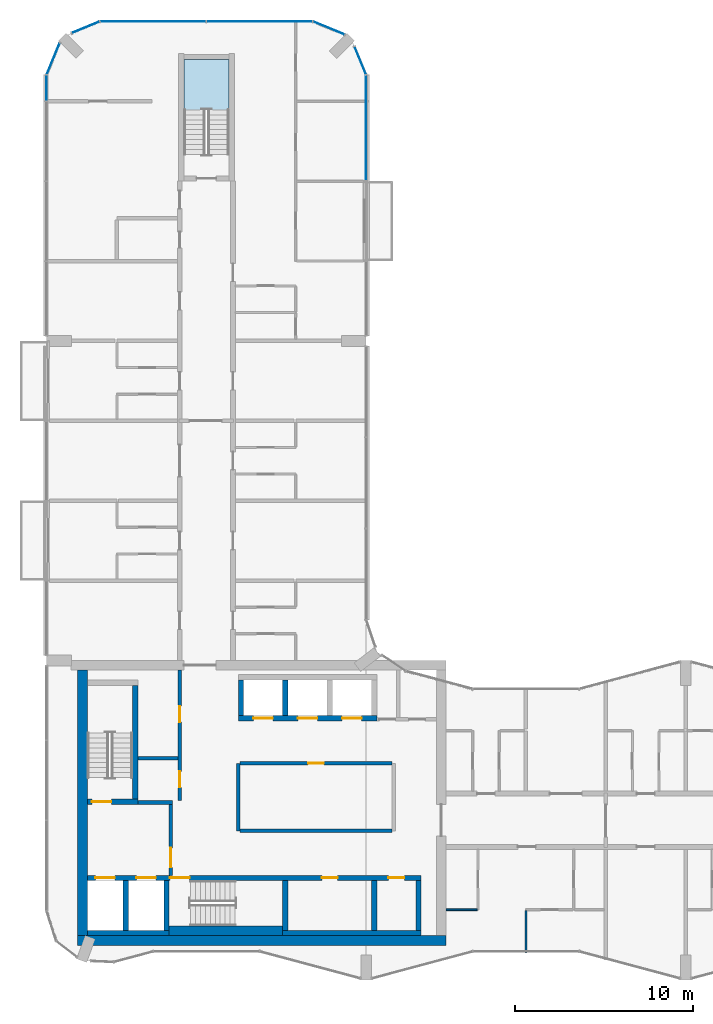
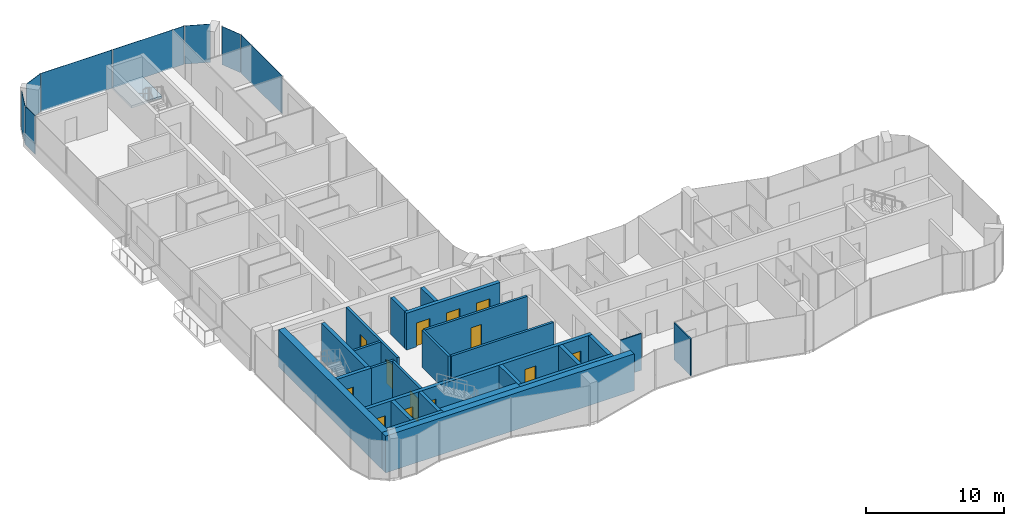
# One storey, part 9 of 16: 25 walls, 13 doors, 8 plates, 1 slab, 13 openings, 8 elements without a shape of their own.
"""IFC4 building model written with IfcOpenShell, lengths in metres."""

from ifc_helpers import new_model, si_unit, direction, frame, frame_2d, origin, origin_2d, place, context, subcontext, project, spatial, polyline, rectangle, outline, extrude, material, layer, layer_set, type_object, element, fill, aggregate, save


model = new_model("IFC4")

# Units and contexts
model_context = context("Model", 3, precision=1e-05, world=origin(), true_north=direction((0.0, 1.0)))
body_context = subcontext(model_context, "Body", "Model", "MODEL_VIEW")
ifc_project = project(units=[si_unit("LENGTHUNIT", "METRE"), si_unit("AREAUNIT", "SQUARE_METRE"), si_unit("VOLUMEUNIT", "CUBIC_METRE"), si_unit("PLANEANGLEUNIT", "RADIAN"), si_unit("MASSUNIT", "GRAM", prefix="KILO")], contexts=[model_context])

# Site, building, storey
site_placement = place(None, origin())
site = spatial("IfcSite", under=ifc_project, at=site_placement, CompositionType="ELEMENT")
building_placement = place(site_placement, origin())
building = spatial("IfcBuilding", under=site, at=building_placement, Name="Plateau Cross Towers", CompositionType="ELEMENT")
storey_placement = place(building_placement, frame((0.0, 0.0, 211.89990234375)))
storey = spatial("IfcBuildingStorey", under=building, at=storey_placement, Name="L55", CompositionType="ELEMENT", Elevation=211.89990234375)

# Curtain wall, plate
ifc_material_1 = material(Name="Dark low-iron glass", Category="glass")
ifc_layer_1 = layer(ifc_material_1, 0.239990234375)
ifc_layer_set_1 = layer_set([ifc_layer_1], Name="Dark low-iron glass")
curtain_wall_type = type_object("IfcCurtainWallType", Name="Curtain wall flush unitised CW-B", PredefinedType="NOTDEFINED", material=ifc_layer_set_1)
curtain_wall_1_placement = place(storey_placement, origin())
curtain_wall_1 = element("IfcCurtainWall", 1, at=curtain_wall_1_placement, inside=storey, type_object=curtain_wall_type, Name="ENV/A/L55/A180_450", PredefinedType="NOTDEFINED")
ifc_layer_2 = layer(ifc_material_1, 0.031982421875)
ifc_layer_set_2 = layer_set([ifc_layer_2], Name="Dark low-iron glass")
plate_type = type_object("IfcPlateType", Name="Glass panel 32 flush unitised", PredefinedType="CURTAIN_PANEL", material=ifc_layer_set_2)
plate_1_placement = place(storey_placement, frame((18.0, 48.0048828125, -0.1298828125), z_axis=(0.0, 0.0, 1.0), x_axis=(0.0, 1.0, 0.0)))
plate_1 = element("IfcPlate", 2, at=plate_1_placement, type_object=plate_type, Name="CW-B panel 1", PredefinedType="CURTAIN_PANEL", context=body_context, shape_type="SweptSolid", body=[
    extrude(rectangle(XDim=5.929931640625, YDim=0.031982421875, at=origin_2d()), origin(), (0.0, 0.0, 1.0), 3.3798828125),
])
aggregate(curtain_wall_1, [plate_1])

curtain_wall_2_placement = place(storey_placement, origin())
curtain_wall_2 = element("IfcCurtainWall", 3, at=curtain_wall_2_placement, inside=storey, type_object=curtain_wall_type, Name="ENV/A/L55/A180_510", PredefinedType="NOTDEFINED")
plate_2_placement = place(storey_placement, frame((17.66943359375, 51.79833984375, -0.1298828125), z_axis=(0.0, 0.0, 1.0), x_axis=(-0.382683612978, 0.923879457699, 0.0)))
plate_2 = element("IfcPlate", 4, at=plate_2_placement, type_object=plate_type, Name="CW-B panel 1", PredefinedType="CURTAIN_PANEL", context=body_context, shape_type="SweptSolid", body=[
    extrude(rectangle(XDim=1.668212890625, YDim=0.031982421875, at=origin_2d()), origin(), (0.0, 0.0, 1.0), 3.3798828125),
])
aggregate(curtain_wall_2, [plate_2])

curtain_wall_3_placement = place(storey_placement, origin())
curtain_wall_3 = element("IfcCurtainWall", 5, at=curtain_wall_3_placement, inside=storey, type_object=curtain_wall_type, Name="ENV/A/L55/A168_533", PredefinedType="NOTDEFINED")
plate_3_placement = place(storey_placement, frame((15.90283203125, 53.6259765625, -0.1298828125), z_axis=(0.0, 0.0, 1.0), x_axis=(-0.923879457699, 0.382683612978, 0.0)))
plate_3 = element("IfcPlate", 6, at=plate_3_placement, type_object=plate_type, Name="CW-B panel 1", PredefinedType="CURTAIN_PANEL", context=body_context, shape_type="SweptSolid", body=[
    extrude(rectangle(XDim=1.894775390625, YDim=0.031982421875, at=origin_2d()), origin(), (0.0, 0.0, 1.0), 3.3798828125),
])
aggregate(curtain_wall_3, [plate_3])

# Curtain wall, plates
curtain_wall_4_placement = place(storey_placement, origin())
curtain_wall_4 = element("IfcCurtainWall", 7, at=curtain_wall_4_placement, inside=storey, type_object=curtain_wall_type, Name="ENV/A/L55/A150_540", PredefinedType="NOTDEFINED")
plate_4_placement = place(storey_placement, frame((12.0, 54.0, -0.1298828125), z_axis=(0.0, 0.0, 1.0), x_axis=(-1.0, 0.0, 0.0)))
plate_4 = element("IfcPlate", 8, at=plate_4_placement, type_object=plate_type, Name="CW-B panel 1", PredefinedType="CURTAIN_PANEL", context=body_context, shape_type="SweptSolid", body=[
    extrude(rectangle(XDim=5.93994140625, YDim=0.031982421875, at=origin_2d()), origin(), (0.0, 0.0, 1.0), 3.3798828125),
])
plate_5_placement = place(storey_placement, frame((6.0, 54.0, -0.1298828125), z_axis=(0.0, 0.0, 1.0), x_axis=(-1.0, 0.0, 0.0)))
plate_5 = element("IfcPlate", 9, at=plate_5_placement, type_object=plate_type, Name="CW-B panel 2", PredefinedType="CURTAIN_PANEL", context=body_context, shape_type="SweptSolid", body=[
    extrude(rectangle(XDim=5.93994140625, YDim=0.031982421875, at=origin_2d()), origin(), (0.0, 0.0, 1.0), 3.3798828125),
])
aggregate(curtain_wall_4, [plate_4, plate_5])

# Curtain wall, plate
curtain_wall_5_placement = place(storey_placement, origin())
curtain_wall_5 = element("IfcCurtainWall", 10, at=curtain_wall_5_placement, inside=storey, type_object=curtain_wall_type, Name="ENV/A/L55/A30_540", PredefinedType="NOTDEFINED")
plate_6_placement = place(storey_placement, frame((2.20166015625, 53.66943359375, -0.1298828125), z_axis=(0.0, 0.0, 1.0), x_axis=(-0.923879457699, -0.382683612978, 0.0)))
plate_6 = element("IfcPlate", 11, at=plate_6_placement, type_object=plate_type, Name="CW-B panel 1", PredefinedType="CURTAIN_PANEL", context=body_context, shape_type="SweptSolid", body=[
    extrude(rectangle(XDim=1.668212890625, YDim=0.031982421875, at=origin_2d()), origin(), (0.0, 0.0, 1.0), 3.3798828125),
])
aggregate(curtain_wall_5, [plate_6])

curtain_wall_6_placement = place(storey_placement, origin())
curtain_wall_6 = element("IfcCurtainWall", 12, at=curtain_wall_6_placement, inside=storey, type_object=curtain_wall_type, Name="ENV/A/L55/A7_528", PredefinedType="NOTDEFINED")
plate_7_placement = place(storey_placement, frame((0.3740234375, 51.90283203125, -0.1298828125), z_axis=(0.0, 0.0, 1.0), x_axis=(-0.382683612978, -0.923879457699, 0.0)))
plate_7 = element("IfcPlate", 13, at=plate_7_placement, type_object=plate_type, Name="CW-B panel 1", PredefinedType="CURTAIN_PANEL", context=body_context, shape_type="SweptSolid", body=[
    extrude(rectangle(XDim=1.894775390625, YDim=0.031982421875, at=origin_2d()), origin(), (0.0, 0.0, 1.0), 3.3798828125),
])
aggregate(curtain_wall_6, [plate_7])

curtain_wall_7_placement = place(storey_placement, origin())
curtain_wall_7 = element("IfcCurtainWall", 14, at=curtain_wall_7_placement, inside=storey, type_object=curtain_wall_type, Name="ENV/A/L55/A0_510", PredefinedType="NOTDEFINED")
plate_8_placement = place(storey_placement, frame((0.0, 50.25, -0.1298828125), z_axis=(0.0, 0.0, 1.0), x_axis=(0.0, -1.0, 0.0)))
plate_8 = element("IfcPlate", 15, at=plate_8_placement, type_object=plate_type, Name="CW-B panel 1", PredefinedType="CURTAIN_PANEL", context=body_context, shape_type="SweptSolid", body=[
    extrude(rectangle(XDim=1.43994140625, YDim=0.031982421875, at=origin_2d()), origin(), (0.0, 0.0, 1.0), 3.3798828125),
])
aggregate(curtain_wall_7, [plate_8])

# Stair, slab
ifc_material_2 = material(Name="Concrete C40/50", Category="concrete")
stair_type = type_object("IfcStairType", Name="ST-TWR", PredefinedType="HALF_TURN_STAIR", material=ifc_material_2)
stair_placement = place(storey_placement, origin())
stair = element("IfcStair", 16, at=stair_placement, inside=storey, type_object=stair_type, Name="L55 Protected Exit Stair N", PredefinedType="HALF_TURN_STAIR")
ifc_layer_3 = layer(ifc_material_2, 0.199951171875)
ifc_layer_set_3 = layer_set([ifc_layer_3], Name="Concrete C40/50")
slab_type = type_object("IfcSlabType", Name="SL-LANDING", PredefinedType="LANDING", material=ifc_layer_set_3)
slab_placement = place(storey_placement, frame((0.0, 0.0, 1.550048828125)))
slab = element("IfcSlab", 17, at=slab_placement, type_object=slab_type, Name="ES-N landing 1", PredefinedType="LANDING", context=body_context, shape_type="SweptSolid", body=[
    extrude(outline(polyline([(10.27490234375, 49.02001953125), (10.27490234375, 51.85009765625), (7.72509765625, 51.85009765625), (7.72509765625, 49.02001953125), (10.27490234375, 49.02001953125)])), origin(), (0.0, 0.0, 1.0), 0.199951171875),
])
aggregate(stair, [slab])

# Wall, opening, door
ifc_material_3 = material(Name="Concrete block, plastered both sides", Category="concrete")
ifc_layer_4 = layer(ifc_material_3, 0.199951171875)
ifc_layer_set_4 = layer_set([ifc_layer_4], Name="Concrete block, plastered both sides")
wall_type_1 = type_object("IfcWallType", Name="Core partition 200", PredefinedType="PARTITIONING", material=ifc_layer_set_4)
wall_1_placement = place(storey_placement, frame((7.0, 5.89990234375, 0.0), z_axis=(0.0, 0.0, 1.0), x_axis=(0.0, 1.0, 0.0)))
wall_1 = element("IfcWall", 18, at=wall_1_placement, inside=storey, type_object=wall_type_1, Name="Core partition", PredefinedType="PARTITIONING", context=body_context, shape_type="SweptSolid", body=[
    extrude(rectangle(XDim=4.0, YDim=0.199951171875, at=frame_2d((2.0, 0.0))), origin(), (0.0, 0.0, 1.0), 3.25),
])
opening_1_placement = place(wall_1_placement, frame((0.449951171875, 0.0, 0.0)))
opening_1 = element("IfcOpeningElement", 19, at=opening_1_placement, cuts=wall_1, Name="Opening FFD", PredefinedType="OPENING", context=body_context, shape_type="SweptSolid", body=[
    extrude(rectangle(XDim=1.10009765625, YDim=2.10009765625, at=frame_2d((0.550048828125, 1.050048828125))), frame((0.0, 0.10986328125, 0.0), z_axis=(0.0, -1.0, 0.0), x_axis=(1.0, 0.0, 0.0)), (0.0, 0.0, 1.0), 0.219970703125),
])
ifc_material_4 = material(Name="Steel, fire-resisting leaf", Category="steel")
door_type_1 = type_object("IfcDoorType", Name="Firefighting lobby door 1100", OperationType="NOTDEFINED", PredefinedType="DOOR", material=ifc_material_4)
door_1_placement = place(opening_1_placement, origin())
door_1 = element("IfcDoor", 20, at=door_1_placement, inside=storey, type_object=door_type_1, Name="Firefighting lobby door FFD", OperationType="SINGLE_SWING_LEFT", OverallHeight=2.10009765625, OverallWidth=1.10009765625, PredefinedType="DOOR", context=body_context, shape_type="SweptSolid", body=[
    extrude(rectangle(XDim=1.10009765625, YDim=2.10009765625, at=frame_2d((0.550048828125, 1.050048828125))), frame((0.0, 0.02490234375, 0.0), z_axis=(0.0, -1.0, 0.0), x_axis=(1.0, 0.0, 0.0)), (0.0, 0.0, 1.0), 0.050048828125),
])
fill(opening_1, door_1)

# Walls
wall_2_placement = place(storey_placement, frame((5.14990234375, 10.0, 0.0), z_axis=(0.0, 0.0, 1.0), x_axis=(1.0, 0.0, 0.0)))
element("IfcWall", 21, at=wall_2_placement, inside=storey, type_object=wall_type_1, Name="Core partition", PredefinedType="PARTITIONING", context=body_context, shape_type="SweptSolid", body=[
    extrude(rectangle(XDim=1.9501953125, YDim=0.199951171875, at=frame_2d((0.97509765625, 0.0))), origin(), (0.0, 0.0, 1.0), 3.25),
])
wall_3_placement = place(storey_placement, frame((10.800048828125, 8.39990234375, 0.0), z_axis=(0.0, 0.0, 1.0), x_axis=(0.0, 1.0, 0.0)))
element("IfcWall", 22, at=wall_3_placement, inside=storey, type_object=wall_type_1, Name="Core partition", PredefinedType="PARTITIONING", context=body_context, shape_type="SweptSolid", body=[
    extrude(rectangle(XDim=3.800048828125, YDim=0.199951171875, at=frame_2d((1.89990234375, 0.0))), origin(), (0.0, 0.0, 1.0), 3.25),
])
wall_4_placement = place(storey_placement, frame((10.89990234375, 8.39990234375, 0.0), z_axis=(0.0, 0.0, 1.0), x_axis=(1.0, 0.0, 0.0)))
element("IfcWall", 23, at=wall_4_placement, inside=storey, type_object=wall_type_1, Name="Core partition", PredefinedType="PARTITIONING", context=body_context, shape_type="SweptSolid", body=[
    extrude(rectangle(XDim=8.550048828125, YDim=0.199951171875, at=frame_2d((4.27490234375, 0.0))), origin(), (0.0, 0.0, 1.0), 3.25),
])

# Wall, opening, door
wall_5_placement = place(storey_placement, frame((10.89990234375, 12.199951171875, 0.0), z_axis=(0.0, 0.0, 1.0), x_axis=(1.0, 0.0, 0.0)))
wall_5 = element("IfcWall", 24, at=wall_5_placement, inside=storey, type_object=wall_type_1, Name="Core partition", PredefinedType="PARTITIONING", context=body_context, shape_type="SweptSolid", body=[
    extrude(rectangle(XDim=8.550048828125, YDim=0.199951171875, at=frame_2d((4.27490234375, 0.0))), origin(), (0.0, 0.0, 1.0), 3.25),
])
opening_2_placement = place(wall_5_placement, frame((3.824951171875, 0.0, 0.0)))
opening_2 = element("IfcOpeningElement", 25, at=opening_2_placement, cuts=wall_5, Name="Opening RD1", PredefinedType="OPENING", context=body_context, shape_type="SweptSolid", body=[
    extrude(rectangle(XDim=0.89990234375, YDim=2.10009765625, at=frame_2d((0.449951171875, 1.050048828125))), frame((0.0, 0.10986328125, 0.0), z_axis=(0.0, -1.0, 0.0), x_axis=(1.0, 0.0, 0.0)), (0.0, 0.0, 1.0), 0.219970703125),
])
ifc_material_5 = material(Name="Timber, fire-resisting leaf", Category="wood")
door_type_2 = type_object("IfcDoorType", Name="Core service door 900", OperationType="NOTDEFINED", PredefinedType="DOOR", material=ifc_material_5)
door_2_placement = place(opening_2_placement, origin())
door_2 = element("IfcDoor", 26, at=door_2_placement, inside=storey, type_object=door_type_2, Name="Core service door RD1", OperationType="SINGLE_SWING_LEFT", OverallHeight=2.10009765625, OverallWidth=0.89990234375, PredefinedType="DOOR", context=body_context, shape_type="SweptSolid", body=[
    extrude(rectangle(XDim=0.89990234375, YDim=2.10009765625, at=frame_2d((0.449951171875, 1.050048828125))), frame((0.0, 0.02490234375, 0.0), z_axis=(0.0, -1.0, 0.0), x_axis=(1.0, 0.0, 0.0)), (0.0, 0.0, 1.0), 0.050048828125),
])
fill(opening_2, door_2)

# Wall, openings, doors
wall_6_placement = place(storey_placement, frame((7.5, 10.10009765625, 0.0), z_axis=(0.0, 0.0, 1.0), x_axis=(0.0, 1.0, 0.0)))
wall_6 = element("IfcWall", 27, at=wall_6_placement, inside=storey, type_object=wall_type_1, Name="Core partition", PredefinedType="PARTITIONING", context=body_context, shape_type="SweptSolid", body=[
    extrude(rectangle(XDim=7.349853515625, YDim=0.199951171875, at=frame_2d((3.6748046875, 0.0))), origin(), (0.0, 0.0, 1.0), 3.25),
])
opening_3_placement = place(wall_6_placement, frame((0.75, 0.0, 0.0)))
opening_3 = element("IfcOpeningElement", 28, at=opening_3_placement, cuts=wall_6, Name="Opening RD1", PredefinedType="OPENING", context=body_context, shape_type="SweptSolid", body=[
    extrude(rectangle(XDim=0.89990234375, YDim=2.10009765625, at=frame_2d((0.449951171875, 1.050048828125))), frame((0.0, 0.10986328125, 0.0), z_axis=(0.0, -1.0, 0.0), x_axis=(1.0, 0.0, 0.0)), (0.0, 0.0, 1.0), 0.219970703125),
])
opening_4_placement = place(wall_6_placement, frame((4.425048828125, 0.0, 0.0)))
opening_4 = element("IfcOpeningElement", 29, at=opening_4_placement, cuts=wall_6, Name="Opening RD1", PredefinedType="OPENING", context=body_context, shape_type="SweptSolid", body=[
    extrude(rectangle(XDim=0.89990234375, YDim=2.10009765625, at=frame_2d((0.449951171875, 1.050048828125))), frame((0.0, 0.10986328125, 0.0), z_axis=(0.0, -1.0, 0.0), x_axis=(1.0, 0.0, 0.0)), (0.0, 0.0, 1.0), 0.219970703125),
])
door_3_placement = place(opening_3_placement, origin())
door_3 = element("IfcDoor", 30, at=door_3_placement, inside=storey, type_object=door_type_2, Name="Core service door RD1", OperationType="SINGLE_SWING_RIGHT", OverallHeight=2.10009765625, OverallWidth=0.89990234375, PredefinedType="DOOR", context=body_context, shape_type="SweptSolid", body=[
    extrude(rectangle(XDim=0.89990234375, YDim=2.10009765625, at=frame_2d((0.449951171875, 1.050048828125))), frame((0.0, 0.02490234375, 0.0), z_axis=(0.0, -1.0, 0.0), x_axis=(1.0, 0.0, 0.0)), (0.0, 0.0, 1.0), 0.050048828125),
])
fill(opening_3, door_3)
door_4_placement = place(opening_4_placement, origin())
door_4 = element("IfcDoor", 31, at=door_4_placement, inside=storey, type_object=door_type_2, Name="Core service door RD1", OperationType="SINGLE_SWING_RIGHT", OverallHeight=2.10009765625, OverallWidth=0.89990234375, PredefinedType="DOOR", context=body_context, shape_type="SweptSolid", body=[
    extrude(rectangle(XDim=0.89990234375, YDim=2.10009765625, at=frame_2d((0.449951171875, 1.050048828125))), frame((0.0, 0.02490234375, 0.0), z_axis=(0.0, -1.0, 0.0), x_axis=(1.0, 0.0, 0.0)), (0.0, 0.0, 1.0), 0.050048828125),
])
fill(opening_4, door_4)

# Walls
wall_7_placement = place(storey_placement, frame((5.14990234375, 12.5, 0.0), z_axis=(0.0, 0.0, 1.0), x_axis=(1.0, 0.0, 0.0)))
element("IfcWall", 32, at=wall_7_placement, inside=storey, type_object=wall_type_1, Name="Core partition", PredefinedType="PARTITIONING", context=body_context, shape_type="SweptSolid", body=[
    extrude(rectangle(XDim=2.25, YDim=0.199951171875, at=frame_2d((1.125, 0.0))), origin(), (0.0, 0.0, 1.0), 3.25),
])
ifc_material_6 = material(Name="Concrete C60/75", Category="concrete")
ifc_layer_5 = layer(ifc_material_6, 0.300048828125)
ifc_layer_set_5 = layer_set([ifc_layer_5], Name="Concrete C60/75")
wall_type_2 = type_object("IfcWallType", Name="Core shaft wall 300", PredefinedType="SHEAR", material=ifc_layer_set_5)
wall_8_placement = place(storey_placement, frame((2.300048828125, 2.64990234375, 0.0), z_axis=(0.0, 0.0, 1.0), x_axis=(1.0, 0.0, 0.0)))
element("IfcWall", 33, at=wall_8_placement, inside=storey, type_object=wall_type_2, Name="A-sb-back1@L55", PredefinedType="SHEAR", context=body_context, shape_type="SweptSolid", body=[
    extrude(rectangle(XDim=4.599853515625, YDim=0.300048828125, at=frame_2d((2.2998046875, 0.0))), origin(), (0.0, 0.0, 1.0), 3.25),
])
wall_9_placement = place(storey_placement, frame((13.300048828125, 2.64990234375, 0.0), z_axis=(0.0, 0.0, 1.0), x_axis=(1.0, 0.0, 0.0)))
element("IfcWall", 34, at=wall_9_placement, inside=storey, type_object=wall_type_2, Name="A-sb-back3@L55", PredefinedType="SHEAR", context=body_context, shape_type="SweptSolid", body=[
    extrude(rectangle(XDim=7.800048828125, YDim=0.300048828125, at=frame_2d((3.89990234375, 0.0))), origin(), (0.0, 0.0, 1.0), 3.25),
])
for number, where, z_axis, x_axis, name in (
    (35, (4.449951171875, 2.800048828125, 0.0), (0.0, 0.0, 1.0), (0.0, 1.0, 0.0), "A-sb-v1@L55"),
    (36, (6.75, 2.800048828125, 0.0), (0.0, 0.0, 1.0), (0.0, 1.0, 0.0), "A-sb-v2@L55"),
    (37, (13.449951171875, 2.800048828125, 0.0), (0.0, 0.0, 1.0), (0.0, 1.0, 0.0), "A-sb-v3@L55"),
    (38, (18.449951171875, 2.800048828125, 0.0), (0.0, 0.0, 1.0), (0.0, 1.0, 0.0), "A-sb-v5@L55"),
    (39, (20.949951171875, 2.800048828125, 0.0), (0.0, 0.0, 1.0), (0.0, 1.0, 0.0), "A-sb-v6@L55"),
):
    element("IfcWall", number, at=place(storey_placement, frame(where, z_axis=z_axis, x_axis=x_axis)), inside=storey, type_object=wall_type_2, Name=name, PredefinedType="SHEAR", context=body_context, shape_type="SweptSolid", body=[
        extrude(rectangle(XDim=2.800048828125, YDim=0.300048828125, at=frame_2d((1.39990234375, 0.0))), origin(), (0.0, 0.0, 1.0), 3.25),
    ])

# Wall, openings, doors
wall_10_placement = place(storey_placement, frame((2.300048828125, 5.75, 0.0), z_axis=(0.0, 0.0, 1.0), x_axis=(1.0, 0.0, 0.0)))
wall_10 = element("IfcWall", 40, at=wall_10_placement, inside=storey, type_object=wall_type_2, Name="A-sb-front@L55", PredefinedType="SHEAR", context=body_context, shape_type="SweptSolid", body=[
    extrude(rectangle(XDim=18.800048828125, YDim=0.300048828125, at=frame_2d((9.39990234375, 0.0))), origin(), (0.0, 0.0, 1.0), 3.25),
])
opening_5_placement = place(wall_10_placement, frame((4.64990234375, 0.0, 0.0)))
opening_5 = element("IfcOpeningElement", 41, at=opening_5_placement, cuts=wall_10, Name="Opening SD", PredefinedType="OPENING", context=body_context, shape_type="SweptSolid", body=[
    extrude(rectangle(XDim=1.10009765625, YDim=2.10009765625, at=frame_2d((0.550048828125, 1.050048828125))), frame((0.0, 0.159912109375, 0.0), z_axis=(0.0, -1.0, 0.0), x_axis=(1.0, 0.0, 0.0)), (0.0, 0.0, 1.0), 0.320068359375),
])
opening_6_placement = place(wall_10_placement, frame((0.449951171875, 0.0, 0.0)))
opening_6 = element("IfcOpeningElement", 42, at=opening_6_placement, cuts=wall_10, Name="Opening LD", PredefinedType="OPENING", context=body_context, shape_type="SweptSolid", body=[
    extrude(rectangle(XDim=1.10009765625, YDim=2.10009765625, at=frame_2d((0.550048828125, 1.050048828125))), frame((0.0, 0.159912109375, 0.0), z_axis=(0.0, -1.0, 0.0), x_axis=(1.0, 0.0, 0.0)), (0.0, 0.0, 1.0), 0.320068359375),
])
opening_7_placement = place(wall_10_placement, frame((2.75, 0.0, 0.0)))
opening_7 = element("IfcOpeningElement", 43, at=opening_7_placement, cuts=wall_10, Name="Opening LD", PredefinedType="OPENING", context=body_context, shape_type="SweptSolid", body=[
    extrude(rectangle(XDim=1.10009765625, YDim=2.10009765625, at=frame_2d((0.550048828125, 1.050048828125))), frame((0.0, 0.159912109375, 0.0), z_axis=(0.0, -1.0, 0.0), x_axis=(1.0, 0.0, 0.0)), (0.0, 0.0, 1.0), 0.320068359375),
])
opening_8_placement = place(wall_10_placement, frame((13.199951171875, 0.0, 0.0)))
opening_8 = element("IfcOpeningElement", 44, at=opening_8_placement, cuts=wall_10, Name="Opening RD2", PredefinedType="OPENING", context=body_context, shape_type="SweptSolid", body=[
    extrude(rectangle(XDim=0.89990234375, YDim=2.10009765625, at=frame_2d((0.449951171875, 1.050048828125))), frame((0.0, 0.159912109375, 0.0), z_axis=(0.0, -1.0, 0.0), x_axis=(1.0, 0.0, 0.0)), (0.0, 0.0, 1.0), 0.320068359375),
])
opening_9_placement = place(wall_10_placement, frame((16.949951171875, 0.0, 0.0)))
opening_9 = element("IfcOpeningElement", 45, at=opening_9_placement, cuts=wall_10, Name="Opening RD2", PredefinedType="OPENING", context=body_context, shape_type="SweptSolid", body=[
    extrude(rectangle(XDim=0.89990234375, YDim=2.10009765625, at=frame_2d((0.449951171875, 1.050048828125))), frame((0.0, 0.159912109375, 0.0), z_axis=(0.0, -1.0, 0.0), x_axis=(1.0, 0.0, 0.0)), (0.0, 0.0, 1.0), 0.320068359375),
])
door_type_3 = type_object("IfcDoorType", Name="Core riser door 900", OperationType="NOTDEFINED", PredefinedType="DOOR", material=ifc_material_4)
door_5_placement = place(opening_8_placement, origin())
door_5 = element("IfcDoor", 46, at=door_5_placement, inside=storey, type_object=door_type_3, Name="Core riser door RD2", OperationType="SINGLE_SWING_LEFT", OverallHeight=2.10009765625, OverallWidth=0.89990234375, PredefinedType="DOOR", context=body_context, shape_type="SweptSolid", body=[
    extrude(rectangle(XDim=0.89990234375, YDim=2.10009765625, at=frame_2d((0.449951171875, 1.050048828125))), frame((0.0, 0.02490234375, 0.0), z_axis=(0.0, -1.0, 0.0), x_axis=(1.0, 0.0, 0.0)), (0.0, 0.0, 1.0), 0.050048828125),
])
fill(opening_8, door_5)
door_6_placement = place(opening_9_placement, origin())
door_6 = element("IfcDoor", 47, at=door_6_placement, inside=storey, type_object=door_type_3, Name="Core riser door RD2", OperationType="SINGLE_SWING_LEFT", OverallHeight=2.10009765625, OverallWidth=0.89990234375, PredefinedType="DOOR", context=body_context, shape_type="SweptSolid", body=[
    extrude(rectangle(XDim=0.89990234375, YDim=2.10009765625, at=frame_2d((0.449951171875, 1.050048828125))), frame((0.0, 0.02490234375, 0.0), z_axis=(0.0, -1.0, 0.0), x_axis=(1.0, 0.0, 0.0)), (0.0, 0.0, 1.0), 0.050048828125),
])
fill(opening_9, door_6)
ifc_material_7 = material(Name="Stainless steel, fire-resisting sliding leaves", Category="steel")
door_type_4 = type_object("IfcDoorType", Name="Lift landing door 1100", OperationType="NOTDEFINED", PredefinedType="DOOR", material=ifc_material_7)
door_7_placement = place(opening_6_placement, origin())
door_7 = element("IfcDoor", 48, at=door_7_placement, inside=storey, type_object=door_type_4, Name="Lift landing door LD", OperationType="DOUBLE_DOOR_SLIDING", OverallHeight=2.10009765625, OverallWidth=1.10009765625, PredefinedType="DOOR", context=body_context, shape_type="SweptSolid", body=[
    extrude(rectangle(XDim=1.10009765625, YDim=2.10009765625, at=frame_2d((0.550048828125, 1.050048828125))), frame((0.0, 0.02490234375, 0.0), z_axis=(0.0, -1.0, 0.0), x_axis=(1.0, 0.0, 0.0)), (0.0, 0.0, 1.0), 0.050048828125),
])
fill(opening_6, door_7)
door_8_placement = place(opening_7_placement, origin())
door_8 = element("IfcDoor", 49, at=door_8_placement, inside=storey, type_object=door_type_4, Name="Lift landing door LD", OperationType="DOUBLE_DOOR_SLIDING", OverallHeight=2.10009765625, OverallWidth=1.10009765625, PredefinedType="DOOR", context=body_context, shape_type="SweptSolid", body=[
    extrude(rectangle(XDim=1.10009765625, YDim=2.10009765625, at=frame_2d((0.550048828125, 1.050048828125))), frame((0.0, 0.02490234375, 0.0), z_axis=(0.0, -1.0, 0.0), x_axis=(1.0, 0.0, 0.0)), (0.0, 0.0, 1.0), 0.050048828125),
])
fill(opening_7, door_8)
door_type_5 = type_object("IfcDoorType", Name="Stair door 1100", OperationType="NOTDEFINED", PredefinedType="DOOR", material=ifc_material_4)
door_9_placement = place(opening_5_placement, origin())
door_9 = element("IfcDoor", 50, at=door_9_placement, inside=storey, type_object=door_type_5, Name="Stair door SD", OperationType="SINGLE_SWING_LEFT", OverallHeight=2.10009765625, OverallWidth=1.10009765625, PredefinedType="DOOR", context=body_context, shape_type="SweptSolid", body=[
    extrude(rectangle(XDim=1.10009765625, YDim=2.10009765625, at=frame_2d((0.550048828125, 1.050048828125))), frame((0.0, 0.02490234375, 0.0), z_axis=(0.0, -1.0, 0.0), x_axis=(1.0, 0.0, 0.0)), (0.0, 0.0, 1.0), 0.050048828125),
])
fill(opening_5, door_9)

# Wall, opening, door
wall_11_placement = place(storey_placement, frame((2.300048828125, 10.050048828125, 0.0), z_axis=(0.0, 0.0, 1.0), x_axis=(1.0, 0.0, 0.0)))
wall_11 = element("IfcWall", 51, at=wall_11_placement, inside=storey, type_object=wall_type_2, Name="A-st1-S@L55", PredefinedType="SHEAR", context=body_context, shape_type="SweptSolid", body=[
    extrude(rectangle(XDim=2.849853515625, YDim=0.300048828125, at=frame_2d((1.4248046875, 0.0))), origin(), (0.0, 0.0, 1.0), 3.25),
])
opening_10_placement = place(wall_11_placement, frame((0.25, 0.0, 0.0)))
opening_10 = element("IfcOpeningElement", 52, at=opening_10_placement, cuts=wall_11, Name="Opening SD", PredefinedType="OPENING", context=body_context, shape_type="SweptSolid", body=[
    extrude(rectangle(XDim=1.10009765625, YDim=2.10009765625, at=frame_2d((0.550048828125, 1.050048828125))), frame((0.0, 0.159912109375, 0.0), z_axis=(0.0, -1.0, 0.0), x_axis=(1.0, 0.0, 0.0)), (0.0, 0.0, 1.0), 0.320068359375),
])
door_10_placement = place(opening_10_placement, origin())
door_10 = element("IfcDoor", 53, at=door_10_placement, inside=storey, type_object=door_type_5, Name="Stair door SD", OperationType="SINGLE_SWING_RIGHT", OverallHeight=2.10009765625, OverallWidth=1.10009765625, PredefinedType="DOOR", context=body_context, shape_type="SweptSolid", body=[
    extrude(rectangle(XDim=1.10009765625, YDim=2.10009765625, at=frame_2d((0.550048828125, 1.050048828125))), frame((0.0, 0.02490234375, 0.0), z_axis=(0.0, -1.0, 0.0), x_axis=(1.0, 0.0, 0.0)), (0.0, 0.0, 1.0), 0.050048828125),
])
fill(opening_10, door_10)

# Wall
wall_12_placement = place(storey_placement, frame((5.0, 10.199951171875, 0.0), z_axis=(0.0, 0.0, 1.0), x_axis=(0.0, 1.0, 0.0)))
element("IfcWall", 54, at=wall_12_placement, inside=storey, type_object=wall_type_2, Name="A-st1-E@L55", PredefinedType="SHEAR", context=body_context, shape_type="SweptSolid", body=[
    extrude(rectangle(XDim=6.400146484375, YDim=0.300048828125, at=frame_2d((3.2001953125, 0.0))), origin(), (0.0, 0.0, 1.0), 3.25),
])

# Wall, openings, doors
wall_13_placement = place(storey_placement, frame((10.800048828125, 14.75, 0.0), z_axis=(0.0, 0.0, 1.0), x_axis=(1.0, 0.0, 0.0)))
wall_13 = element("IfcWall", 55, at=wall_13_placement, inside=storey, type_object=wall_type_2, Name="A-nb-front@L55", PredefinedType="SHEAR", context=body_context, shape_type="SweptSolid", body=[
    extrude(rectangle(XDim=7.800048828125, YDim=0.300048828125, at=frame_2d((3.89990234375, 0.0))), origin(), (0.0, 0.0, 1.0), 3.25),
])
opening_11_placement = place(wall_13_placement, frame((0.85009765625, 0.0, 0.0)))
opening_11 = element("IfcOpeningElement", 56, at=opening_11_placement, cuts=wall_13, Name="Opening LD", PredefinedType="OPENING", context=body_context, shape_type="SweptSolid", body=[
    extrude(rectangle(XDim=1.10009765625, YDim=2.10009765625, at=frame_2d((0.550048828125, 1.050048828125))), frame((0.0, 0.159912109375, 0.0), z_axis=(0.0, -1.0, 0.0), x_axis=(1.0, 0.0, 0.0)), (0.0, 0.0, 1.0), 0.320068359375),
])
opening_12_placement = place(wall_13_placement, frame((3.35009765625, 0.0, 0.0)))
opening_12 = element("IfcOpeningElement", 57, at=opening_12_placement, cuts=wall_13, Name="Opening LD", PredefinedType="OPENING", context=body_context, shape_type="SweptSolid", body=[
    extrude(rectangle(XDim=1.10009765625, YDim=2.10009765625, at=frame_2d((0.550048828125, 1.050048828125))), frame((0.0, 0.159912109375, 0.0), z_axis=(0.0, -1.0, 0.0), x_axis=(1.0, 0.0, 0.0)), (0.0, 0.0, 1.0), 0.320068359375),
])
opening_13_placement = place(wall_13_placement, frame((5.85009765625, 0.0, 0.0)))
opening_13 = element("IfcOpeningElement", 58, at=opening_13_placement, cuts=wall_13, Name="Opening LD", PredefinedType="OPENING", context=body_context, shape_type="SweptSolid", body=[
    extrude(rectangle(XDim=1.10009765625, YDim=2.10009765625, at=frame_2d((0.550048828125, 1.050048828125))), frame((0.0, 0.159912109375, 0.0), z_axis=(0.0, -1.0, 0.0), x_axis=(1.0, 0.0, 0.0)), (0.0, 0.0, 1.0), 0.320068359375),
])
door_11_placement = place(opening_11_placement, origin())
door_11 = element("IfcDoor", 59, at=door_11_placement, inside=storey, type_object=door_type_4, Name="Lift landing door LD", OperationType="DOUBLE_DOOR_SLIDING", OverallHeight=2.10009765625, OverallWidth=1.10009765625, PredefinedType="DOOR", context=body_context, shape_type="SweptSolid", body=[
    extrude(rectangle(XDim=1.10009765625, YDim=2.10009765625, at=frame_2d((0.550048828125, 1.050048828125))), frame((0.0, 0.02490234375, 0.0), z_axis=(0.0, -1.0, 0.0), x_axis=(1.0, 0.0, 0.0)), (0.0, 0.0, 1.0), 0.050048828125),
])
fill(opening_11, door_11)
door_12_placement = place(opening_12_placement, origin())
door_12 = element("IfcDoor", 60, at=door_12_placement, inside=storey, type_object=door_type_4, Name="Lift landing door LD", OperationType="DOUBLE_DOOR_SLIDING", OverallHeight=2.10009765625, OverallWidth=1.10009765625, PredefinedType="DOOR", context=body_context, shape_type="SweptSolid", body=[
    extrude(rectangle(XDim=1.10009765625, YDim=2.10009765625, at=frame_2d((0.550048828125, 1.050048828125))), frame((0.0, 0.02490234375, 0.0), z_axis=(0.0, -1.0, 0.0), x_axis=(1.0, 0.0, 0.0)), (0.0, 0.0, 1.0), 0.050048828125),
])
fill(opening_12, door_12)
door_13_placement = place(opening_13_placement, origin())
door_13 = element("IfcDoor", 61, at=door_13_placement, inside=storey, type_object=door_type_4, Name="Lift landing door LD", OperationType="DOUBLE_DOOR_SLIDING", OverallHeight=2.10009765625, OverallWidth=1.10009765625, PredefinedType="DOOR", context=body_context, shape_type="SweptSolid", body=[
    extrude(rectangle(XDim=1.10009765625, YDim=2.10009765625, at=frame_2d((0.550048828125, 1.050048828125))), frame((0.0, 0.02490234375, 0.0), z_axis=(0.0, -1.0, 0.0), x_axis=(1.0, 0.0, 0.0)), (0.0, 0.0, 1.0), 0.050048828125),
])
fill(opening_13, door_13)

# Walls
for number, where, z_axis, x_axis, name in (
    (62, (10.949951171875, 14.89990234375, 0.0), (0.0, 0.0, 1.0), (0.0, 1.0, 0.0), "A-nb-v1@L55"),
    (63, (13.449951171875, 14.89990234375, 0.0), (0.0, 0.0, 1.0), (0.0, 1.0, 0.0), "A-nb-v2@L55"),
):
    element("IfcWall", number, at=place(storey_placement, frame(where, z_axis=z_axis, x_axis=x_axis)), inside=storey, type_object=wall_type_2, Name=name, PredefinedType="SHEAR", context=body_context, shape_type="SweptSolid", body=[
        extrude(rectangle(XDim=2.0, YDim=0.300048828125, at=frame_2d((1.0, 0.0))), origin(), (0.0, 0.0, 1.0), 3.25),
    ])
ifc_layer_6 = layer(ifc_material_6, 0.550048828125)
ifc_layer_set_6 = layer_set([ifc_layer_6], Name="Concrete C60/75")
wall_type_3 = type_object("IfcWallType", Name="Core shaft wall 550", PredefinedType="SHEAR", material=ifc_layer_set_6)
wall_14_placement = place(storey_placement, frame((6.89990234375, 2.77490234375, 0.0), z_axis=(0.0, 0.0, 1.0), x_axis=(1.0, 0.0, 0.0)))
element("IfcWall", 64, at=wall_14_placement, inside=storey, type_object=wall_type_3, Name="A-sb-back2@L55", PredefinedType="SHEAR", context=body_context, shape_type="SweptSolid", body=[
    extrude(rectangle(XDim=6.400146484375, YDim=0.550048828125, at=frame_2d((3.2001953125, 0.0))), origin(), (0.0, 0.0, 1.0), 3.25),
])
ifc_layer_7 = layer(ifc_material_6, 0.550048828125)
ifc_layer_set_7 = layer_set([ifc_layer_7], Name="Concrete C60/75")
wall_type_4 = type_object("IfcWallType", Name="Core shell wall 550", PredefinedType="SHEAR", material=ifc_layer_set_7)
wall_15_placement = place(storey_placement, frame((1.75, 2.22509765625, 0.0), z_axis=(0.0, 0.0, 1.0), x_axis=(1.0, 0.0, 0.0)))
element("IfcWall", 65, at=wall_15_placement, inside=storey, type_object=wall_type_4, Name="A-core-S@L55", PredefinedType="SHEAR", context=body_context, shape_type="SweptSolid", body=[
    extrude(rectangle(XDim=20.75, YDim=0.550048828125, at=frame_2d((10.375, 0.0))), origin(), (0.0, 0.0, 1.0), 3.25),
])
wall_16_placement = place(storey_placement, frame((2.02490234375, 2.5, 0.0), z_axis=(0.0, 0.0, 1.0), x_axis=(0.0, 1.0, 0.0)))
element("IfcWall", 66, at=wall_16_placement, inside=storey, type_object=wall_type_4, Name="A-core-W@L55", PredefinedType="SHEAR", context=body_context, shape_type="SweptSolid", body=[
    extrude(rectangle(XDim=14.949951171875, YDim=0.550048828125, at=frame_2d((7.47509765625, 0.0))), origin(), (0.0, 0.0, 1.0), 3.25),
])
ifc_material_8 = material(Name="Gypsum board on steel studs", Category="steel")
ifc_layer_8 = layer(ifc_material_8, 0.10009765625)
ifc_layer_set_8 = layer_set([ifc_layer_8], Name="Gypsum board on steel studs")
wall_type_5 = type_object("IfcWallType", Name="Flat partition 100", PredefinedType="PARTITIONING", material=ifc_layer_set_8)
wall_17_placement = place(storey_placement, frame((22.5, 3.96240234375, 0.0), z_axis=(0.0, 0.0, 1.0), x_axis=(1.0, 0.0, 0.0)))
element("IfcWall", 67, at=wall_17_placement, inside=storey, type_object=wall_type_5, Name="Partition wall", PredefinedType="PARTITIONING", context=body_context, shape_type="SweptSolid", body=[
    extrude(rectangle(XDim=1.75, YDim=0.10009765625, at=frame_2d((0.875, 0.0))), origin(), (0.0, 0.0, 1.0), 3.25),
])
wall_18_placement = place(storey_placement, frame((27.0, 3.91259765625, 0.0), z_axis=(0.0, 0.0, 1.0), x_axis=(0.0, -1.0, 0.0)))
element("IfcWall", 68, at=wall_18_placement, inside=storey, type_object=wall_type_5, Name="Partition wall", PredefinedType="PARTITIONING", context=body_context, shape_type="SweptSolid", body=[
    extrude(rectangle(XDim=2.3857421875, YDim=0.10009765625, at=frame_2d((1.19287109375, 0.0))), origin(), (0.0, 0.0, 1.0), 3.25),
])

save(model, "model.ifc")
